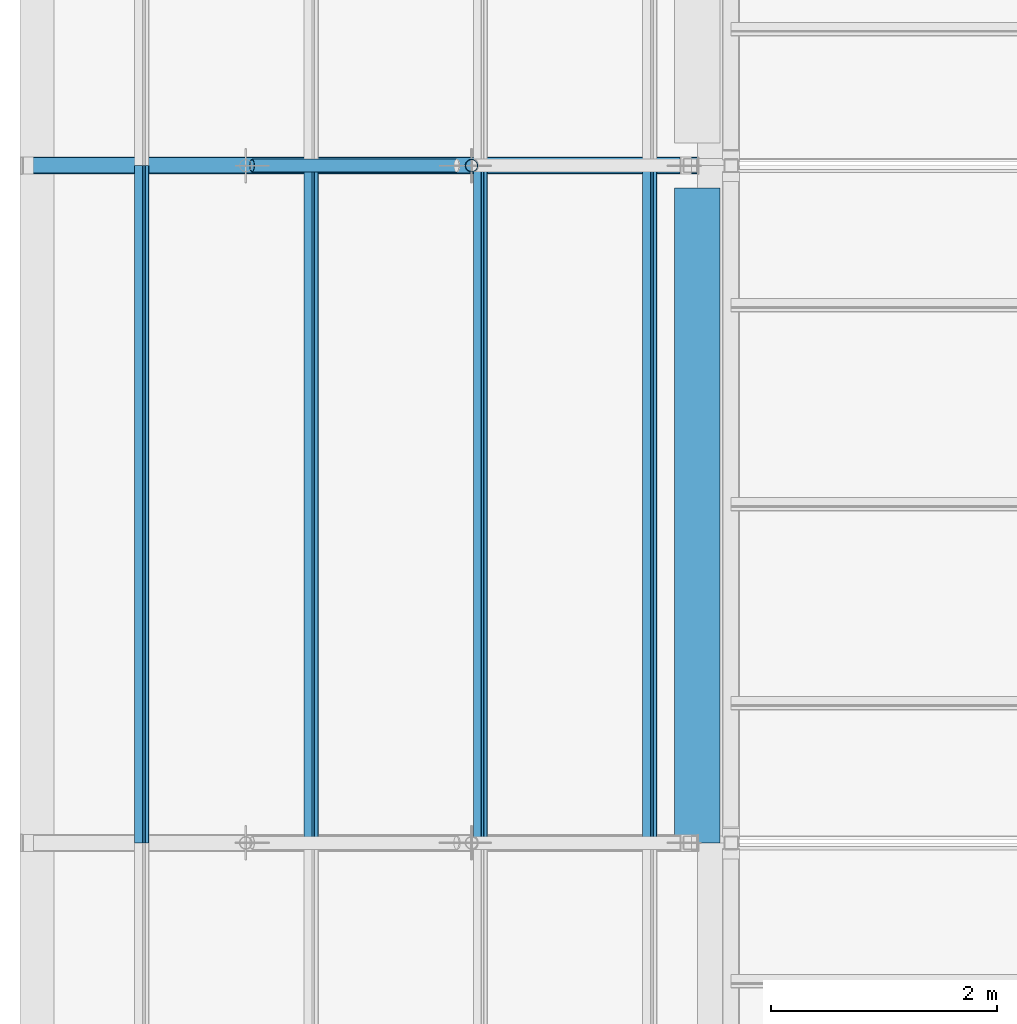
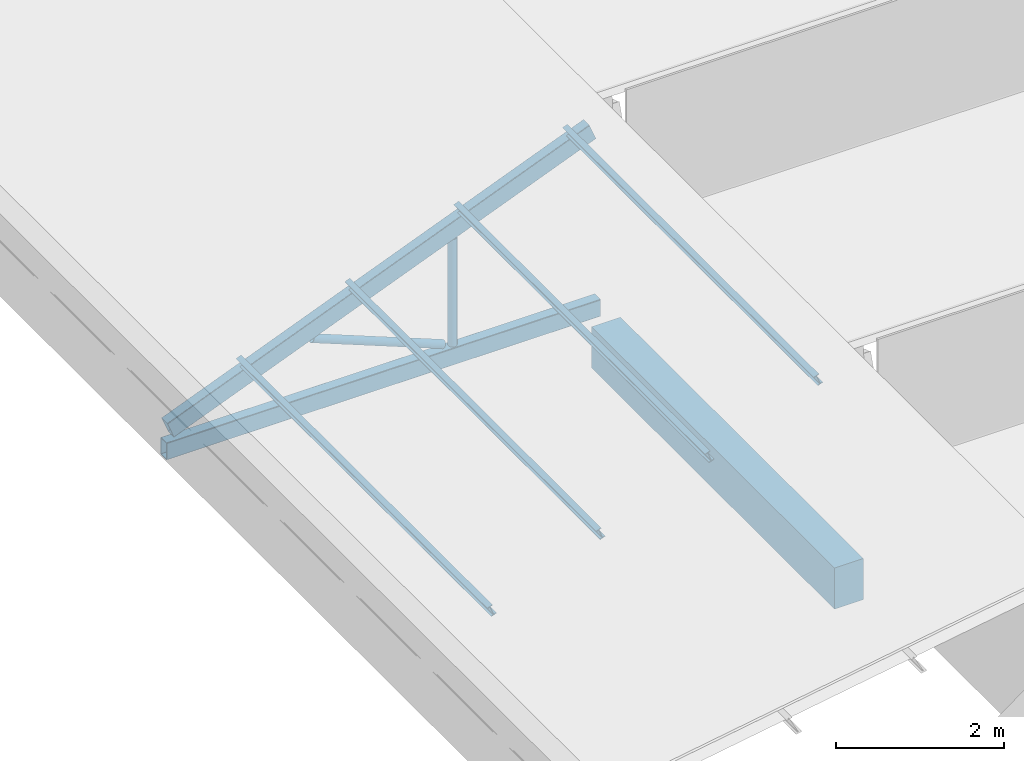
# One storey, part 4 of 118: 8 members, 1 beam.
"""IFC4 building model written with IfcOpenShell, lengths in metres."""

from ifc_helpers import new_model, si_unit, direction, frame, origin, origin_2d, place, context, subcontext, project, spatial, rectangle, hollow_rectangle, hollow_circle, i_section, extrude, material, material_profile, profile_set, type_object, element, save


model = new_model("IFC4")

# Units and contexts
model_context = context("Model", 3, precision=1e-05, world=origin(), true_north=direction((0.0, 1.0)))
body_context = subcontext(model_context, "Body", "Model", "MODEL_VIEW")
ifc_project = project(units=[si_unit("LENGTHUNIT", "METRE"), si_unit("AREAUNIT", "SQUARE_METRE"), si_unit("VOLUMEUNIT", "CUBIC_METRE"), si_unit("PLANEANGLEUNIT", "RADIAN"), si_unit("MASSUNIT", "GRAM", prefix="KILO")], contexts=[model_context])

# Site, building, storey
site_placement = place(None, origin())
site = spatial("IfcSite", under=ifc_project, at=site_placement, CompositionType="ELEMENT")
building_placement = place(site_placement, origin())
building = spatial("IfcBuilding", under=site, at=building_placement, Name="Saffron Lane Theatres", CompositionType="ELEMENT")
storey_placement = place(building_placement, frame((0.0, 0.0, 16.5)))
storey = spatial("IfcBuildingStorey", under=building, at=storey_placement, Name="L03", CompositionType="ELEMENT", Elevation=16.5)

# Beam
ifc_material_1 = material(Name="Concrete N40 (40 MPa)", Category="concrete")
ifc_material_profile_1 = material_profile(ifc_material_1, rectangle(XDim=0.39990234375, YDim=0.60009765625, at=origin_2d()))
ifc_profile_set_1 = profile_set([ifc_material_profile_1], Name="Concrete N40 (40 MPa)")
beam_type = type_object("IfcBeamType", Name="RC-BEAM 400x600", PredefinedType="BEAM", material=ifc_profile_set_1)
beam_placement = place(storey_placement, frame((6.0, 6.0, -0.300048828125), z_axis=(0.0, 1.0, 0.0), x_axis=(-1.0, 0.0, 0.0)))
element("IfcBeam", 1, at=beam_placement, inside=storey, type_object=beam_type, Name="beam-eaves-y60-120", PredefinedType="BEAM", context=body_context, shape_type="SweptSolid", body=[
    extrude(rectangle(XDim=0.39990234375, YDim=0.60009765625, at=origin_2d()), origin(), (0.0, 0.0, 1.0), 5.800048828125),
])

# Members
ifc_material_2 = material(Name="Steel Grade 350", Category="steel")
ifc_material_profile_2 = material_profile(ifc_material_2, i_section(OverallWidth=0.074951171875, OverallDepth=0.155029296875, WebThickness=0.006103515625, FlangeThickness=0.009521484375, FilletRadius=0.008056640625, at=origin_2d()))
ifc_profile_set_2 = profile_set([ifc_material_profile_2], Name="Steel Grade 350")
member_type_1 = type_object("IfcMemberType", Name="ST-STUDIO PURLIN 150UB18.0", PredefinedType="PURLIN", material=ifc_profile_set_2)
for number, where, z_axis, x_axis, name in (
    (2, (1.0791015625, 6.0, 1.03125), (0.0, 1.0, 0.0), (-0.929273373147, 0.0, -0.36939274216), "GWU44"),
    (3, (2.5791015625, 6.0, 1.627685546875), (0.0, 1.0, 0.0), (-0.929273373147, 0.0, -0.36939274216), "GWU49"),
    (4, (4.0791015625, 6.0, 2.223876953125), (0.0, 1.0, 0.0), (-0.929273373147, 0.0, -0.36939274216), "GWU54"),
    (5, (5.5791015625, 6.0, 2.820068359375), (0.0, 1.0, 0.0), (-0.929273373147, 0.0, -0.36939274216), "GWU59"),
):
    element("IfcMember", number, at=place(storey_placement, frame(where, z_axis=z_axis, x_axis=x_axis)), inside=storey, type_object=member_type_1, Name=name, PredefinedType="PURLIN", context=body_context, shape_type="SweptSolid", body=[
        extrude(i_section(OverallWidth=0.074951171875, OverallDepth=0.155029296875, WebThickness=0.006103515625, FlangeThickness=0.009521484375, FilletRadius=0.008056640625, at=origin_2d()), origin(), (0.0, 0.0, 1.0), 6.0),
    ])
ifc_material_3 = material(Name="Steel Grade 350", Category="steel")
ifc_material_profile_3 = material_profile(ifc_material_3, hollow_rectangle(XDim=0.14990234375, YDim=0.25, WallThickness=0.009033203125, InnerFilletRadius=0.00439453125, OuterFilletRadius=0.013427734375, at=origin_2d()))
ifc_profile_set_3 = profile_set([ifc_material_profile_3], Name="Steel Grade 350")
member_type_2 = type_object("IfcMemberType", Name="ST-STUDIO TRUSS CHORD 250x150x9 RHS", PredefinedType="CHORD", material=ifc_profile_set_3)
member_1_placement = place(storey_placement, frame((0.02001953125, 12.0, 0.125), z_axis=(1.0, 0.0, 0.0), x_axis=(0.0, 1.0, 0.0)))
element("IfcMember", 6, at=member_1_placement, inside=storey, type_object=member_type_2, Name="GWT15", PredefinedType="CHORD", context=body_context, shape_type="SweptSolid", body=[
    extrude(hollow_rectangle(XDim=0.14990234375, YDim=0.25, WallThickness=0.009033203125, InnerFilletRadius=0.00439453125, OuterFilletRadius=0.013427734375, at=origin_2d()), origin(), (0.0, 0.0, 1.0), 5.97998046875),
])
member_2_placement = place(storey_placement, frame((0.076171875, 12.0, 0.414794921875), z_axis=(0.929276333654, 0.0, 0.369385294388), x_axis=(0.0, 1.0, 0.0)))
element("IfcMember", 7, at=member_2_placement, inside=storey, type_object=member_type_2, Name="GWC16", PredefinedType="CHORD", context=body_context, shape_type="SweptSolid", body=[
    extrude(hollow_rectangle(XDim=0.14990234375, YDim=0.25, WallThickness=0.009033203125, InnerFilletRadius=0.00439453125, OuterFilletRadius=0.013427734375, at=origin_2d()), origin(), (0.0, 0.0, 1.0), 6.2578125),
])
ifc_material_4 = material(Name="Steel Grade 350", Category="steel")
ifc_material_profile_4 = material_profile(ifc_material_4, hollow_circle(Radius=0.05712890625, WallThickness=0.006103515625, at=origin_2d()))
ifc_profile_set_4 = profile_set([ifc_material_profile_4], Name="Steel Grade 350")
member_type_3 = type_object("IfcMemberType", Name="ST-STUDIO TRUSS WEB 114.3x6.0 CHS", PredefinedType="BRACE", material=ifc_profile_set_4)
member_3_placement = place(storey_placement, frame((4.0, 12.0, 0.25), z_axis=(0.0, 0.0, 1.0), x_axis=(1.0, 0.0, 0.0)))
element("IfcMember", 8, at=member_3_placement, inside=storey, type_object=member_type_3, Name="GWW19", PredefinedType="BRACE", context=body_context, shape_type="SweptSolid", body=[
    extrude(hollow_circle(Radius=0.05712890625, WallThickness=0.006103515625, at=origin_2d()), origin(), (0.0, 0.0, 1.0), 1.5673828125),
])
member_4_placement = place(storey_placement, frame((3.866455078125, 12.0, 0.30322265625), z_axis=(-0.929295525906, 0.0, 0.369337008071), x_axis=(0.0, -1.0, 0.0)))
element("IfcMember", 9, at=member_4_placement, inside=storey, type_object=member_type_3, Name="GWW21", PredefinedType="BRACE", context=body_context, shape_type="SweptSolid", body=[
    extrude(hollow_circle(Radius=0.05712890625, WallThickness=0.006103515625, at=origin_2d()), origin(), (0.0, 0.0, 1.0), 1.947998046875),
])

save(model, "model.ifc")
